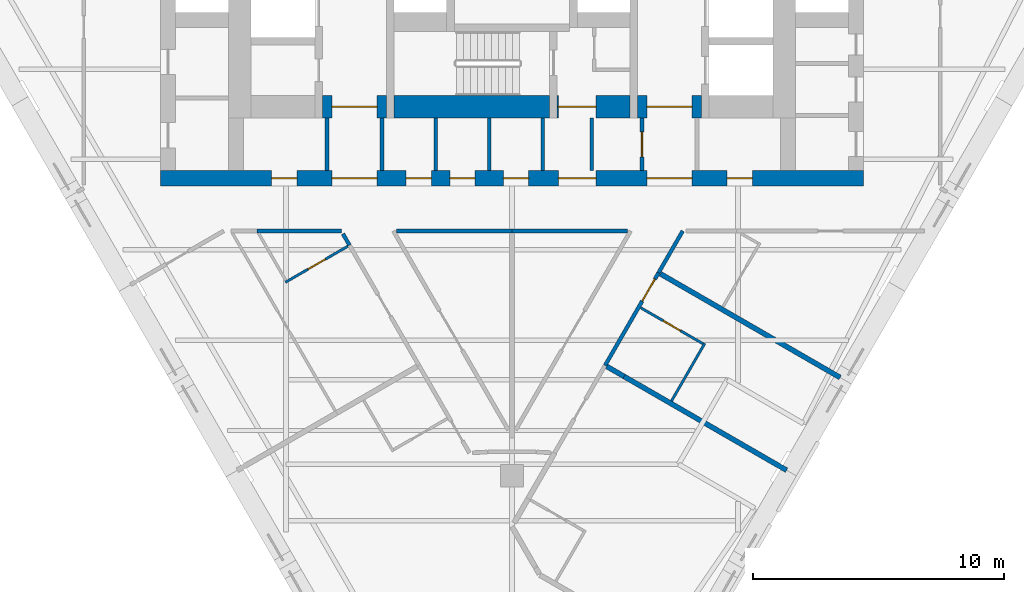
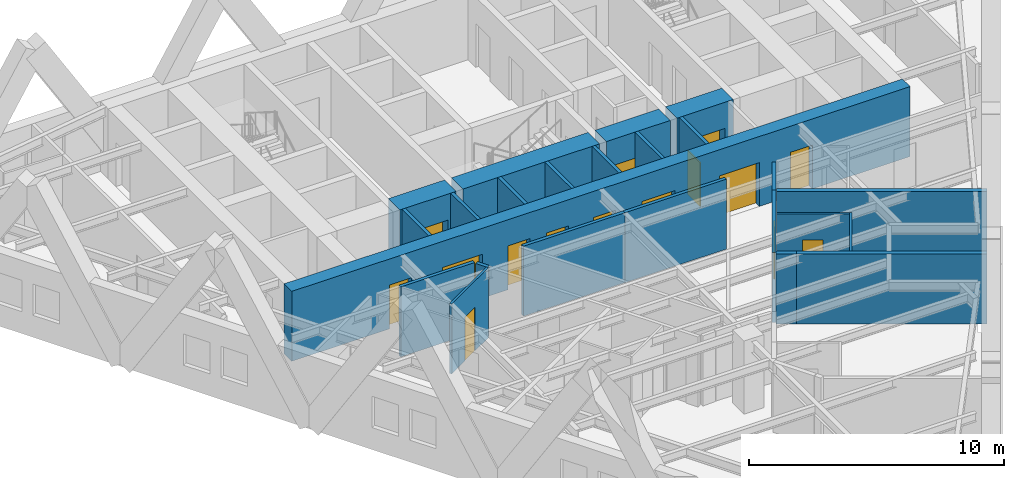
# One storey, part 4 of 9: 24 walls, 15 doors, 15 openings.
"""IFC4 building model written with IfcOpenShell, lengths in metres."""

from ifc_helpers import new_model, si_unit, direction, frame, frame_2d, origin, place, context, subcontext, project, spatial, rectangle, extrude, material, layer, layer_set, type_object, element, fill, save


model = new_model("IFC4")

# Units and contexts
model_context = context("Model", 3, precision=1e-05, world=origin(), true_north=direction((0.0, 1.0)))
body_context = subcontext(model_context, "Body", "Model", "MODEL_VIEW")
ifc_project = project(units=[si_unit("LENGTHUNIT", "METRE"), si_unit("AREAUNIT", "SQUARE_METRE"), si_unit("VOLUMEUNIT", "CUBIC_METRE"), si_unit("PLANEANGLEUNIT", "RADIAN"), si_unit("MASSUNIT", "GRAM", prefix="KILO")], contexts=[model_context])

# Site, building, storey
site_placement = place(None, origin())
site = spatial("IfcSite", under=ifc_project, at=site_placement, CompositionType="ELEMENT")
building_placement = place(site_placement, origin())
building = spatial("IfcBuilding", under=site, at=building_placement, Name="Aloe Facet Convention Tower", CompositionType="ELEMENT")
storey_placement = place(building_placement, frame((0.0, 0.0, 109.800048828125)))
storey = spatial("IfcBuildingStorey", under=building, at=storey_placement, Name="L27", CompositionType="ELEMENT", Elevation=109.800048828125)

# Walls
ifc_material_1 = material(Name="Concrete blockwork partition", Category="masonry")
ifc_layer_1 = layer(ifc_material_1, 0.14990234375)
ifc_layer_set_1 = layer_set([ifc_layer_1], Name="CR-W-PART150")
wall_type_1 = type_object("IfcWallType", Name="CR-W-PART150", PredefinedType="PARTITIONING", material=ifc_layer_set_1)
for number, where, z_axis, x_axis, name in (
    (1, (72.625, 122.25, 0.0), (0.0, 0.0, 1.0), (0.0, -1.0, 0.0), "Core partition L27-016"),
    (2, (74.824951171875, 122.25, 0.0), (0.0, 0.0, 1.0), (0.0, -1.0, 0.0), "Core partition L27-017"),
    (3, (76.958251953125, 122.25, 0.0), (0.0, 0.0, 1.0), (0.0, -1.0, 0.0), "Core partition L27-023"),
    (4, (79.091552734375, 122.25, 0.0), (0.0, 0.0, 1.0), (0.0, -1.0, 0.0), "Core partition L27-026"),
    (5, (81.22509765625, 122.25, 0.0), (0.0, 0.0, 1.0), (0.0, -1.0, 0.0), "Core partition L27-027"),
    (6, (83.175048828125, 122.25, 0.0), (0.0, 0.0, 1.0), (0.0, -1.0, 0.0), "Core partition L27-034"),
):
    element("IfcWall", number, at=place(storey_placement, frame(where, z_axis=z_axis, x_axis=x_axis)), inside=storey, type_object=wall_type_1, Name=name, PredefinedType="PARTITIONING", context=body_context, shape_type="SweptSolid", body=[
        extrude(rectangle(XDim=2.10009765625, YDim=0.14990234375, at=frame_2d((1.050048828125, 0.0))), origin(), (0.0, 0.0, 1.0), 3.349853515625),
    ])

# Wall, opening, door
wall_1_placement = place(storey_placement, frame((85.175048828125, 122.25, 0.0), z_axis=(0.0, 0.0, 1.0), x_axis=(0.0, -1.0, 0.0)))
wall_1 = element("IfcWall", 7, at=wall_1_placement, inside=storey, type_object=wall_type_1, Name="Core partition L27-040", PredefinedType="PARTITIONING", context=body_context, shape_type="SweptSolid", body=[
    extrude(rectangle(XDim=2.10009765625, YDim=0.14990234375, at=frame_2d((1.050048828125, 0.0))), origin(), (0.0, 0.0, 1.0), 3.349853515625),
])
opening_1_placement = place(wall_1_placement, frame((0.550048828125, 0.0, 0.0)))
opening_1 = element("IfcOpeningElement", 8, at=opening_1_placement, cuts=wall_1, Name="Opening L27-CD28", PredefinedType="OPENING", context=body_context, shape_type="SweptSolid", body=[
    extrude(rectangle(XDim=1.0, YDim=2.10009765625, at=frame_2d((0.5, 1.050048828125))), frame((0.0, 0.0849609375, 0.0), z_axis=(0.0, -1.0, 0.0), x_axis=(1.0, 0.0, 0.0)), (0.0, 0.0, 1.0), 0.169921875),
])
ifc_material_2 = material(Name="Steel fire-resisting door set FD60", Category="steel")
door_type_1 = type_object("IfcDoorType", Name="CR-D-ROOM-1000-FD60-SRIGHT", OperationType="SINGLE_SWING_RIGHT", PredefinedType="DOOR", material=ifc_material_2)
door_1_placement = place(opening_1_placement, origin())
door_1 = element("IfcDoor", 9, at=door_1_placement, inside=storey, type_object=door_type_1, Name="Core door L27-CD28", OperationType="SINGLE_SWING_RIGHT", OverallHeight=2.10009765625, OverallWidth=1.0, PredefinedType="DOOR", context=body_context, shape_type="SweptSolid", body=[
    extrude(rectangle(XDim=1.0, YDim=2.10009765625, at=frame_2d((0.5, 1.050048828125))), frame((0.0, 0.02490234375, 0.0), z_axis=(0.0, -1.0, 0.0), x_axis=(1.0, 0.0, 0.0)), (0.0, 0.0, 1.0), 0.050048828125),
])
fill(opening_1, door_1)

# Wall, openings, doors
ifc_material_3 = material(Name="Concrete C70/85", Category="concrete")
ifc_layer_2 = layer(ifc_material_3, 0.60009765625)
ifc_layer_set_2 = layer_set([ifc_layer_2], Name="CR-W-RC600-C7085")
wall_type_2 = type_object("IfcWallType", Name="CR-W-RC600-C7085", PredefinedType="SOLIDWALL", material=ifc_layer_set_2)
wall_2_placement = place(storey_placement, frame((66.0, 119.85009765625, 0.0), z_axis=(0.0, 0.0, 1.0), x_axis=(1.0, 0.0, 0.0)))
wall_2 = element("IfcWall", 10, at=wall_2_placement, inside=storey, type_object=wall_type_2, Name="Core wall L27-003", PredefinedType="SOLIDWALL", context=body_context, shape_type="SweptSolid", body=[
    extrude(rectangle(XDim=28.0, YDim=0.60009765625, at=frame_2d((14.0, 0.0))), origin(), (0.0, 0.0, 1.0), 3.349853515625),
])
opening_2_placement = place(wall_2_placement, frame((6.824951171875, 0.0, 0.0)))
opening_2 = element("IfcOpeningElement", 11, at=opening_2_placement, cuts=wall_2, Name="Opening L27-CD17", PredefinedType="OPENING", context=body_context, shape_type="SweptSolid", body=[
    extrude(rectangle(XDim=1.800048828125, YDim=2.10009765625, at=frame_2d((0.89990234375, 1.050048828125))), frame((0.0, 0.31005859375, 0.0), z_axis=(0.0, -1.0, 0.0), x_axis=(1.0, 0.0, 0.0)), (0.0, 0.0, 1.0), 0.6201171875),
])
opening_3_placement = place(wall_2_placement, frame((15.85009765625, 0.0, 0.0)))
opening_3 = element("IfcOpeningElement", 12, at=opening_3_placement, cuts=wall_2, Name="Opening L27-CD18", PredefinedType="OPENING", context=body_context, shape_type="SweptSolid", body=[
    extrude(rectangle(XDim=1.5, YDim=2.10009765625, at=frame_2d((0.75, 1.050048828125))), frame((0.0, 0.31005859375, 0.0), z_axis=(0.0, -1.0, 0.0), x_axis=(1.0, 0.0, 0.0)), (0.0, 0.0, 1.0), 0.6201171875),
])
opening_4_placement = place(wall_2_placement, frame((19.375, 0.0, 0.0)))
opening_4 = element("IfcOpeningElement", 13, at=opening_4_placement, cuts=wall_2, Name="Opening L27-CD19", PredefinedType="OPENING", context=body_context, shape_type="SweptSolid", body=[
    extrude(rectangle(XDim=1.800048828125, YDim=2.10009765625, at=frame_2d((0.89990234375, 1.050048828125))), frame((0.0, 0.31005859375, 0.0), z_axis=(0.0, -1.0, 0.0), x_axis=(1.0, 0.0, 0.0)), (0.0, 0.0, 1.0), 0.6201171875),
])
opening_5_placement = place(wall_2_placement, frame((4.425048828125, 0.0, 0.0)))
opening_5 = element("IfcOpeningElement", 14, at=opening_5_placement, cuts=wall_2, Name="Opening L27-CD24", PredefinedType="OPENING", context=body_context, shape_type="SweptSolid", body=[
    extrude(rectangle(XDim=1.0, YDim=2.10009765625, at=frame_2d((0.5, 1.050048828125))), frame((0.0, 0.31005859375, 0.0), z_axis=(0.0, -1.0, 0.0), x_axis=(1.0, 0.0, 0.0)), (0.0, 0.0, 1.0), 0.6201171875),
])
opening_6_placement = place(wall_2_placement, frame((9.783203125, 0.0, 0.0)))
opening_6 = element("IfcOpeningElement", 15, at=opening_6_placement, cuts=wall_2, Name="Opening L27-CD25", PredefinedType="OPENING", context=body_context, shape_type="SweptSolid", body=[
    extrude(rectangle(XDim=1.0, YDim=2.10009765625, at=frame_2d((0.5, 1.050048828125))), frame((0.0, 0.31005859375, 0.0), z_axis=(0.0, -1.0, 0.0), x_axis=(1.0, 0.0, 0.0)), (0.0, 0.0, 1.0), 0.6201171875),
])
opening_7_placement = place(wall_2_placement, frame((11.52490234375, 0.0, 0.0)))
opening_7 = element("IfcOpeningElement", 16, at=opening_7_placement, cuts=wall_2, Name="Opening L27-CD26", PredefinedType="OPENING", context=body_context, shape_type="SweptSolid", body=[
    extrude(rectangle(XDim=1.0, YDim=2.10009765625, at=frame_2d((0.5, 1.050048828125))), frame((0.0, 0.31005859375, 0.0), z_axis=(0.0, -1.0, 0.0), x_axis=(1.0, 0.0, 0.0)), (0.0, 0.0, 1.0), 0.6201171875),
])
opening_8_placement = place(wall_2_placement, frame((13.658203125, 0.0, 0.0)))
opening_8 = element("IfcOpeningElement", 17, at=opening_8_placement, cuts=wall_2, Name="Opening L27-CD27", PredefinedType="OPENING", context=body_context, shape_type="SweptSolid", body=[
    extrude(rectangle(XDim=1.0, YDim=2.10009765625, at=frame_2d((0.5, 1.050048828125))), frame((0.0, 0.31005859375, 0.0), z_axis=(0.0, -1.0, 0.0), x_axis=(1.0, 0.0, 0.0)), (0.0, 0.0, 1.0), 0.6201171875),
])
opening_9_placement = place(wall_2_placement, frame((22.574951171875, 0.0, 0.0)))
opening_9 = element("IfcOpeningElement", 18, at=opening_9_placement, cuts=wall_2, Name="Opening L27-CD29", PredefinedType="OPENING", context=body_context, shape_type="SweptSolid", body=[
    extrude(rectangle(XDim=1.0, YDim=2.10009765625, at=frame_2d((0.5, 1.050048828125))), frame((0.0, 0.31005859375, 0.0), z_axis=(0.0, -1.0, 0.0), x_axis=(1.0, 0.0, 0.0)), (0.0, 0.0, 1.0), 0.6201171875),
])
ifc_material_4 = material(Name="Steel fire-resisting door set FD60", Category="steel")
door_type_2 = type_object("IfcDoorType", Name="CR-D-EXIT-1500-FD60-DD", OperationType="DOUBLE_DOOR_DOUBLE_SWING", PredefinedType="DOOR", material=ifc_material_4)
door_2_placement = place(opening_3_placement, origin())
door_2 = element("IfcDoor", 19, at=door_2_placement, inside=storey, type_object=door_type_2, Name="Core door L27-CD18", OperationType="DOUBLE_DOOR_DOUBLE_SWING", OverallHeight=2.10009765625, OverallWidth=1.5, PredefinedType="DOOR", context=body_context, shape_type="SweptSolid", body=[
    extrude(rectangle(XDim=1.5, YDim=2.10009765625, at=frame_2d((0.75, 1.050048828125))), frame((0.0, 0.02490234375, 0.0), z_axis=(0.0, -1.0, 0.0), x_axis=(1.0, 0.0, 0.0)), (0.0, 0.0, 1.0), 0.050048828125),
])
fill(opening_3, door_2)
ifc_material_5 = material(Name="Steel fire-resisting door set FD60", Category="steel")
door_type_3 = type_object("IfcDoorType", Name="CR-D-EXIT-1800-FD60-DD", OperationType="DOUBLE_DOOR_DOUBLE_SWING", PredefinedType="DOOR", material=ifc_material_5)
door_3_placement = place(opening_2_placement, origin())
door_3 = element("IfcDoor", 20, at=door_3_placement, inside=storey, type_object=door_type_3, Name="Core door L27-CD17", OperationType="DOUBLE_DOOR_DOUBLE_SWING", OverallHeight=2.10009765625, OverallWidth=1.800048828125, PredefinedType="DOOR", context=body_context, shape_type="SweptSolid", body=[
    extrude(rectangle(XDim=1.800048828125, YDim=2.10009765625, at=frame_2d((0.89990234375, 1.050048828125))), frame((0.0, 0.02490234375, 0.0), z_axis=(0.0, -1.0, 0.0), x_axis=(1.0, 0.0, 0.0)), (0.0, 0.0, 1.0), 0.050048828125),
])
fill(opening_2, door_3)
door_4_placement = place(opening_4_placement, origin())
door_4 = element("IfcDoor", 21, at=door_4_placement, inside=storey, type_object=door_type_3, Name="Core door L27-CD19", OperationType="DOUBLE_DOOR_DOUBLE_SWING", OverallHeight=2.10009765625, OverallWidth=1.800048828125, PredefinedType="DOOR", context=body_context, shape_type="SweptSolid", body=[
    extrude(rectangle(XDim=1.800048828125, YDim=2.10009765625, at=frame_2d((0.89990234375, 1.050048828125))), frame((0.0, 0.02490234375, 0.0), z_axis=(0.0, -1.0, 0.0), x_axis=(1.0, 0.0, 0.0)), (0.0, 0.0, 1.0), 0.050048828125),
])
fill(opening_4, door_4)
door_5_placement = place(opening_5_placement, origin())
door_5 = element("IfcDoor", 22, at=door_5_placement, inside=storey, type_object=door_type_1, Name="Core door L27-CD24", OperationType="SINGLE_SWING_RIGHT", OverallHeight=2.10009765625, OverallWidth=1.0, PredefinedType="DOOR", context=body_context, shape_type="SweptSolid", body=[
    extrude(rectangle(XDim=1.0, YDim=2.10009765625, at=frame_2d((0.5, 1.050048828125))), frame((0.0, 0.02490234375, 0.0), z_axis=(0.0, -1.0, 0.0), x_axis=(1.0, 0.0, 0.0)), (0.0, 0.0, 1.0), 0.050048828125),
])
fill(opening_5, door_5)
door_6_placement = place(opening_6_placement, origin())
door_6 = element("IfcDoor", 23, at=door_6_placement, inside=storey, type_object=door_type_1, Name="Core door L27-CD25", OperationType="SINGLE_SWING_RIGHT", OverallHeight=2.10009765625, OverallWidth=1.0, PredefinedType="DOOR", context=body_context, shape_type="SweptSolid", body=[
    extrude(rectangle(XDim=1.0, YDim=2.10009765625, at=frame_2d((0.5, 1.050048828125))), frame((0.0, 0.02490234375, 0.0), z_axis=(0.0, -1.0, 0.0), x_axis=(1.0, 0.0, 0.0)), (0.0, 0.0, 1.0), 0.050048828125),
])
fill(opening_6, door_6)
door_7_placement = place(opening_7_placement, origin())
door_7 = element("IfcDoor", 24, at=door_7_placement, inside=storey, type_object=door_type_1, Name="Core door L27-CD26", OperationType="SINGLE_SWING_RIGHT", OverallHeight=2.10009765625, OverallWidth=1.0, PredefinedType="DOOR", context=body_context, shape_type="SweptSolid", body=[
    extrude(rectangle(XDim=1.0, YDim=2.10009765625, at=frame_2d((0.5, 1.050048828125))), frame((0.0, 0.02490234375, 0.0), z_axis=(0.0, -1.0, 0.0), x_axis=(1.0, 0.0, 0.0)), (0.0, 0.0, 1.0), 0.050048828125),
])
fill(opening_7, door_7)
door_8_placement = place(opening_8_placement, origin())
door_8 = element("IfcDoor", 25, at=door_8_placement, inside=storey, type_object=door_type_1, Name="Core door L27-CD27", OperationType="SINGLE_SWING_RIGHT", OverallHeight=2.10009765625, OverallWidth=1.0, PredefinedType="DOOR", context=body_context, shape_type="SweptSolid", body=[
    extrude(rectangle(XDim=1.0, YDim=2.10009765625, at=frame_2d((0.5, 1.050048828125))), frame((0.0, 0.02490234375, 0.0), z_axis=(0.0, -1.0, 0.0), x_axis=(1.0, 0.0, 0.0)), (0.0, 0.0, 1.0), 0.050048828125),
])
fill(opening_8, door_8)
door_9_placement = place(opening_9_placement, origin())
door_9 = element("IfcDoor", 26, at=door_9_placement, inside=storey, type_object=door_type_1, Name="Core door L27-CD29", OperationType="SINGLE_SWING_RIGHT", OverallHeight=2.10009765625, OverallWidth=1.0, PredefinedType="DOOR", context=body_context, shape_type="SweptSolid", body=[
    extrude(rectangle(XDim=1.0, YDim=2.10009765625, at=frame_2d((0.5, 1.050048828125))), frame((0.0, 0.02490234375, 0.0), z_axis=(0.0, -1.0, 0.0), x_axis=(1.0, 0.0, 0.0)), (0.0, 0.0, 1.0), 0.050048828125),
])
fill(opening_9, door_9)

# Wall, opening, door
ifc_material_6 = material(Name="Concrete C70/85", Category="concrete")
ifc_layer_3 = layer(ifc_material_6, 0.89990234375)
ifc_layer_set_3 = layer_set([ifc_layer_3], Name="CR-W-RC900-C7085")
wall_type_3 = type_object("IfcWallType", Name="CR-W-RC900-C7085", PredefinedType="SOLIDWALL", material=ifc_layer_set_3)
wall_3_placement = place(storey_placement, frame((72.449951171875, 122.699951171875, 0.0), z_axis=(0.0, 0.0, 1.0), x_axis=(1.0, 0.0, 0.0)))
wall_3 = element("IfcWall", 27, at=wall_3_placement, inside=storey, type_object=wall_type_3, Name="Core wall L27-015", PredefinedType="SOLIDWALL", context=body_context, shape_type="SweptSolid", body=[
    extrude(rectangle(XDim=2.550048828125, YDim=0.89990234375, at=frame_2d((1.27490234375, 0.0))), origin(), (0.0, 0.0, 1.0), 3.349853515625),
])
opening_10_placement = place(wall_3_placement, frame((0.375, 0.0, 0.0)))
opening_10 = element("IfcOpeningElement", 28, at=opening_10_placement, cuts=wall_3, Name="Opening L27-CD15", PredefinedType="OPENING", context=body_context, shape_type="SweptSolid", body=[
    extrude(rectangle(XDim=1.800048828125, YDim=2.10009765625, at=frame_2d((0.89990234375, 1.050048828125))), frame((0.0, 0.4599609375, 0.0), z_axis=(0.0, -1.0, 0.0), x_axis=(1.0, 0.0, 0.0)), (0.0, 0.0, 1.0), 0.919921875),
])
ifc_material_7 = material(Name="Steel fire-resisting door set FD120", Category="steel")
door_type_4 = type_object("IfcDoorType", Name="CR-D-EXIT-1800-FD120-DD", OperationType="DOUBLE_DOOR_DOUBLE_SWING", PredefinedType="DOOR", material=ifc_material_7)
door_10_placement = place(opening_10_placement, origin())
door_10 = element("IfcDoor", 29, at=door_10_placement, inside=storey, type_object=door_type_4, Name="Core door L27-CD15", OperationType="DOUBLE_DOOR_DOUBLE_SWING", OverallHeight=2.10009765625, OverallWidth=1.800048828125, PredefinedType="DOOR", context=body_context, shape_type="SweptSolid", body=[
    extrude(rectangle(XDim=1.800048828125, YDim=2.10009765625, at=frame_2d((0.89990234375, 1.050048828125))), frame((0.0, 0.02490234375, 0.0), z_axis=(0.0, -1.0, 0.0), x_axis=(1.0, 0.0, 0.0)), (0.0, 0.0, 1.0), 0.050048828125),
])
fill(opening_10, door_10)

# Wall
wall_4_placement = place(storey_placement, frame((75.300048828125, 122.699951171875, 0.0), z_axis=(0.0, 0.0, 1.0), x_axis=(1.0, 0.0, 0.0)))
element("IfcWall", 30, at=wall_4_placement, inside=storey, type_object=wall_type_3, Name="Core wall L27-022", PredefinedType="SOLIDWALL", context=body_context, shape_type="SweptSolid", body=[
    extrude(rectangle(XDim=6.199951171875, YDim=0.89990234375, at=frame_2d((3.10009765625, 0.0))), origin(), (0.0, 0.0, 1.0), 3.349853515625),
])

# Wall, opening, door
wall_5_placement = place(storey_placement, frame((81.800048828125, 122.699951171875, 0.0), z_axis=(0.0, 0.0, 1.0), x_axis=(1.0, 0.0, 0.0)))
wall_5 = element("IfcWall", 31, at=wall_5_placement, inside=storey, type_object=wall_type_3, Name="Core wall L27-029", PredefinedType="SOLIDWALL", context=body_context, shape_type="SweptSolid", body=[
    extrude(rectangle(XDim=2.89990234375, YDim=0.89990234375, at=frame_2d((1.449951171875, 0.0))), origin(), (0.0, 0.0, 1.0), 3.349853515625),
])
opening_11_placement = place(wall_5_placement, frame((0.050048828125, 0.0, 0.0)))
opening_11 = element("IfcOpeningElement", 32, at=opening_11_placement, cuts=wall_5, Name="Opening L27-CD16", PredefinedType="OPENING", context=body_context, shape_type="SweptSolid", body=[
    extrude(rectangle(XDim=1.5, YDim=2.10009765625, at=frame_2d((0.75, 1.050048828125))), frame((0.0, 0.4599609375, 0.0), z_axis=(0.0, -1.0, 0.0), x_axis=(1.0, 0.0, 0.0)), (0.0, 0.0, 1.0), 0.919921875),
])
door_11_placement = place(opening_11_placement, origin())
door_11 = element("IfcDoor", 33, at=door_11_placement, inside=storey, type_object=door_type_2, Name="Core door L27-CD16", OperationType="DOUBLE_DOOR_DOUBLE_SWING", OverallHeight=2.10009765625, OverallWidth=1.5, PredefinedType="DOOR", context=body_context, shape_type="SweptSolid", body=[
    extrude(rectangle(XDim=1.5, YDim=2.10009765625, at=frame_2d((0.75, 1.050048828125))), frame((0.0, 0.02490234375, 0.0), z_axis=(0.0, -1.0, 0.0), x_axis=(1.0, 0.0, 0.0)), (0.0, 0.0, 1.0), 0.050048828125),
])
fill(opening_11, door_11)

wall_6_placement = place(storey_placement, frame((85.0, 122.699951171875, 0.0), z_axis=(0.0, 0.0, 1.0), x_axis=(1.0, 0.0, 0.0)))
wall_6 = element("IfcWall", 34, at=wall_6_placement, inside=storey, type_object=wall_type_3, Name="Core wall L27-039", PredefinedType="SOLIDWALL", context=body_context, shape_type="SweptSolid", body=[
    extrude(rectangle(XDim=2.550048828125, YDim=0.89990234375, at=frame_2d((1.27490234375, 0.0))), origin(), (0.0, 0.0, 1.0), 3.349853515625),
])
opening_12_placement = place(wall_6_placement, frame((0.375, 0.0, 0.0)))
opening_12 = element("IfcOpeningElement", 35, at=opening_12_placement, cuts=wall_6, Name="Opening L27-CD14", PredefinedType="OPENING", context=body_context, shape_type="SweptSolid", body=[
    extrude(rectangle(XDim=1.800048828125, YDim=2.10009765625, at=frame_2d((0.89990234375, 1.050048828125))), frame((0.0, 0.4599609375, 0.0), z_axis=(0.0, -1.0, 0.0), x_axis=(1.0, 0.0, 0.0)), (0.0, 0.0, 1.0), 0.919921875),
])
door_12_placement = place(opening_12_placement, origin())
door_12 = element("IfcDoor", 36, at=door_12_placement, inside=storey, type_object=door_type_4, Name="Core door L27-CD14", OperationType="DOUBLE_DOOR_DOUBLE_SWING", OverallHeight=2.10009765625, OverallWidth=1.800048828125, PredefinedType="DOOR", context=body_context, shape_type="SweptSolid", body=[
    extrude(rectangle(XDim=1.800048828125, YDim=2.10009765625, at=frame_2d((0.89990234375, 1.050048828125))), frame((0.0, 0.02490234375, 0.0), z_axis=(0.0, -1.0, 0.0), x_axis=(1.0, 0.0, 0.0)), (0.0, 0.0, 1.0), 0.050048828125),
])
fill(opening_12, door_12)

ifc_material_8 = material(Name="Gypsum board partition on steel studs", Category="steel")
ifc_layer_4 = layer(ifc_material_8, 0.14990234375)
ifc_layer_set_4 = layer_set([ifc_layer_4], Name="IN-W-CORR")
wall_type_4 = type_object("IfcWallType", Name="IN-W-CORR", PredefinedType="PARTITIONING", material=ifc_layer_set_4)
wall_7_placement = place(storey_placement, frame((83.70751953125, 112.392333984375, 0.0), z_axis=(0.0, 0.0, 1.0), x_axis=(0.500042931351, 0.866000615939, 0.0)))
wall_7 = element("IfcWall", 37, at=wall_7_placement, inside=storey, type_object=wall_type_4, Name="Partition L27-W037", PredefinedType="PARTITIONING", context=body_context, shape_type="SweptSolid", body=[
    extrude(rectangle(XDim=4.264404296875, YDim=0.14990234375, at=frame_2d((2.13232421875, 0.0))), origin(), (0.0, 0.0, 1.0), 3.349853515625),
])
opening_13_placement = place(wall_7_placement, frame((2.96435546875, 0.0, 0.0)))
opening_13 = element("IfcOpeningElement", 38, at=opening_13_placement, cuts=wall_7, Name="Opening L27-005", PredefinedType="OPENING", context=body_context, shape_type="SweptSolid", body=[
    extrude(rectangle(XDim=1.0, YDim=2.10009765625, at=frame_2d((0.5, 1.050048828125))), frame((0.0, 0.0849609375, 0.0), z_axis=(0.0, -1.0, 0.0), x_axis=(1.0, 0.0, 0.0)), (0.0, 0.0, 1.0), 0.169921875),
])
ifc_material_9 = material(Name="Hardwood flush door FD30S", Category="wood")
door_type_5 = type_object("IfcDoorType", Name="IN-D-WIDE", OperationType="SINGLE_SWING_LEFT", PredefinedType="DOOR", material=ifc_material_9)
door_13_placement = place(opening_13_placement, origin())
door_13 = element("IfcDoor", 39, at=door_13_placement, inside=storey, type_object=door_type_5, Name="Door L27-005", OperationType="SINGLE_SWING_LEFT", OverallHeight=2.10009765625, OverallWidth=1.0, PredefinedType="DOOR", context=body_context, shape_type="SweptSolid", body=[
    extrude(rectangle(XDim=1.0, YDim=2.10009765625, at=frame_2d((0.5, 1.050048828125))), frame((0.0, 0.02490234375, 0.0), z_axis=(0.0, -1.0, 0.0), x_axis=(1.0, 0.0, 0.0)), (0.0, 0.0, 1.0), 0.050048828125),
])
fill(opening_13, door_13)

# Walls
wall_8_placement = place(storey_placement, frame((85.83984375, 116.085205078125, 0.0), z_axis=(0.0, 0.0, 1.0), x_axis=(0.499909361484, 0.866077727632, 0.0)))
element("IfcWall", 40, at=wall_8_placement, inside=storey, type_object=wall_type_4, Name="Partition L27-W039", PredefinedType="PARTITIONING", context=body_context, shape_type="SweptSolid", body=[
    extrude(rectangle(XDim=1.922119140625, YDim=0.14990234375, at=frame_2d((0.9609375, 0.0))), origin(), (0.0, 0.0, 1.0), 3.349853515625),
])
wall_9_placement = place(storey_placement, frame((69.8505859375, 117.75, 0.0), z_axis=(0.0, 0.0, 1.0), x_axis=(1.0, 0.0, 0.0)))
element("IfcWall", 41, at=wall_9_placement, inside=storey, type_object=wall_type_4, Name="Partition L27-W046", PredefinedType="PARTITIONING", context=body_context, shape_type="SweptSolid", body=[
    extrude(rectangle(XDim=3.3486328125, YDim=0.14990234375, at=frame_2d((1.67431640625, 0.0))), origin(), (0.0, 0.0, 1.0), 3.349853515625),
])
wall_10_placement = place(storey_placement, frame((73.26416015625, 117.637451171875, 0.0), z_axis=(0.0, 0.0, 1.0), x_axis=(0.499869228027, -0.866100891855, 0.0)))
element("IfcWall", 42, at=wall_10_placement, inside=storey, type_object=wall_type_4, Name="Partition L27-W047", PredefinedType="PARTITIONING", context=body_context, shape_type="SweptSolid", body=[
    extrude(rectangle(XDim=0.528076171875, YDim=0.14990234375, at=frame_2d((0.26416015625, 0.0))), origin(), (0.0, 0.0, 1.0), 3.349853515625),
])
for number, where, z_axis, x_axis, name in (
    (43, (75.407470703125, 117.75, 0.0), (0.0, 0.0, 1.0), (1.0, 0.0, 0.0), "Partition L27-W049"),
    (44, (80.0, 117.75, 0.0), (0.0, 0.0, 1.0), (1.0, 0.0, 0.0), "Partition L27-W051"),
):
    element("IfcWall", number, at=place(storey_placement, frame(where, z_axis=z_axis, x_axis=x_axis)), inside=storey, type_object=wall_type_4, Name=name, PredefinedType="PARTITIONING", context=body_context, shape_type="SweptSolid", body=[
        extrude(rectangle(XDim=4.592529296875, YDim=0.14990234375, at=frame_2d((2.29638671875, 0.0))), origin(), (0.0, 0.0, 1.0), 3.349853515625),
    ])
ifc_material_10 = material(Name="Gypsum board partition on steel studs", Category="steel")
ifc_layer_5 = layer(ifc_material_10, 0.10009765625)
ifc_layer_set_5 = layer_set([ifc_layer_5], Name="IN-W-PART")
wall_type_5 = type_object("IfcWallType", Name="IN-W-PART", PredefinedType="PARTITIONING", material=ifc_layer_set_5)
wall_11_placement = place(storey_placement, frame((86.355712890625, 110.978759765625, 0.0), z_axis=(0.0, 0.0, 1.0), x_axis=(0.499953715521, 0.866052124492, 0.0)))
element("IfcWall", 45, at=wall_11_placement, inside=storey, type_object=wall_type_5, Name="Partition L27-W032", PredefinedType="PARTITIONING", context=body_context, shape_type="SweptSolid", body=[
    extrude(rectangle(XDim=2.650146484375, YDim=0.10009765625, at=frame_2d((1.3251953125, 0.0))), origin(), (0.0, 0.0, 1.0), 3.349853515625),
])

# Wall, opening, door
wall_12_placement = place(storey_placement, frame((85.131103515625, 114.68798828125, 0.0), z_axis=(0.0, 0.0, 1.0), x_axis=(0.866047940603, -0.499960963054, 0.0)))
wall_12 = element("IfcWall", 46, at=wall_12_placement, inside=storey, type_object=wall_type_5, Name="Partition L27-W035", PredefinedType="PARTITIONING", context=body_context, shape_type="SweptSolid", body=[
    extrude(rectangle(XDim=2.864990234375, YDim=0.10009765625, at=frame_2d((1.4326171875, 0.0))), origin(), (0.0, 0.0, 1.0), 3.349853515625),
])
opening_14_placement = place(wall_12_placement, frame((1.032470703125, 0.0, 0.0)))
opening_14 = element("IfcOpeningElement", 47, at=opening_14_placement, cuts=wall_12, Name="Opening L27-016", PredefinedType="OPENING", context=body_context, shape_type="SweptSolid", body=[
    extrude(rectangle(XDim=0.800048828125, YDim=2.10009765625, at=frame_2d((0.39990234375, 1.050048828125))), frame((0.0, 0.06005859375, 0.0), z_axis=(0.0, -1.0, 0.0), x_axis=(1.0, 0.0, 0.0)), (0.0, 0.0, 1.0), 0.1201171875),
])
ifc_material_11 = material(Name="Timber flush door", Category="wood")
door_type_6 = type_object("IfcDoorType", Name="IN-D-BATH", OperationType="SINGLE_SWING_LEFT", PredefinedType="DOOR", material=ifc_material_11)
door_14_placement = place(opening_14_placement, origin())
door_14 = element("IfcDoor", 48, at=door_14_placement, inside=storey, type_object=door_type_6, Name="Door L27-016", OperationType="SINGLE_SWING_LEFT", OverallHeight=2.10009765625, OverallWidth=0.800048828125, PredefinedType="DOOR", context=body_context, shape_type="SweptSolid", body=[
    extrude(rectangle(XDim=0.800048828125, YDim=2.10009765625, at=frame_2d((0.39990234375, 1.050048828125))), frame((0.0, 0.02490234375, 0.0), z_axis=(0.0, -1.0, 0.0), x_axis=(1.0, 0.0, 0.0)), (0.0, 0.0, 1.0), 0.050048828125),
])
fill(opening_14, door_14)

wall_13_placement = place(storey_placement, frame((70.973388671875, 115.705078125, 0.0), z_axis=(0.0, 0.0, 1.0), x_axis=(0.866018712932, 0.500011588718, 0.0)))
wall_13 = element("IfcWall", 49, at=wall_13_placement, inside=storey, type_object=wall_type_5, Name="Partition L27-W036", PredefinedType="PARTITIONING", context=body_context, shape_type="SweptSolid", body=[
    extrude(rectangle(XDim=2.875, YDim=0.10009765625, at=frame_2d((1.4375, 0.0))), origin(), (0.0, 0.0, 1.0), 3.349853515625),
])
opening_15_placement = place(wall_13_placement, frame((1.03759765625, 0.0, 0.0)))
opening_15 = element("IfcOpeningElement", 50, at=opening_15_placement, cuts=wall_13, Name="Opening L27-012", PredefinedType="OPENING", context=body_context, shape_type="SweptSolid", body=[
    extrude(rectangle(XDim=0.800048828125, YDim=2.10009765625, at=frame_2d((0.39990234375, 1.050048828125))), frame((0.0, 0.06005859375, 0.0), z_axis=(0.0, -1.0, 0.0), x_axis=(1.0, 0.0, 0.0)), (0.0, 0.0, 1.0), 0.1201171875),
])
door_15_placement = place(opening_15_placement, origin())
door_15 = element("IfcDoor", 51, at=door_15_placement, inside=storey, type_object=door_type_6, Name="Door L27-012", OperationType="SINGLE_SWING_LEFT", OverallHeight=2.10009765625, OverallWidth=0.800048828125, PredefinedType="DOOR", context=body_context, shape_type="SweptSolid", body=[
    extrude(rectangle(XDim=0.800048828125, YDim=2.10009765625, at=frame_2d((0.39990234375, 1.050048828125))), frame((0.0, 0.02490234375, 0.0), z_axis=(0.0, -1.0, 0.0), x_axis=(1.0, 0.0, 0.0)), (0.0, 0.0, 1.0), 0.050048828125),
])
fill(opening_15, door_15)

# Walls
ifc_material_12 = material(Name="Gypsum board partition on steel studs", Category="steel")
ifc_layer_6 = layer(ifc_material_12, 0.199951171875)
ifc_layer_set_6 = layer_set([ifc_layer_6], Name="IN-W-PARTY")
wall_type_6 = type_object("IfcWallType", Name="IN-W-PARTY", PredefinedType="PARTITIONING", material=ifc_layer_set_6)
wall_14_placement = place(storey_placement, frame((84.46533203125, 111.954833984375, 0.0), z_axis=(0.0, 0.0, 1.0), x_axis=(0.866025682925, -0.499999516514, 0.0)))
element("IfcWall", 52, at=wall_14_placement, inside=storey, type_object=wall_type_6, Name="Partition L27-W010", PredefinedType="PARTITIONING", context=body_context, shape_type="SweptSolid", body=[
    extrude(rectangle(XDim=7.47509765625, YDim=0.199951171875, at=frame_2d((3.737548828125, 0.0))), origin(), (0.0, 0.0, 1.0), 3.349853515625),
])
wall_15_placement = place(storey_placement, frame((83.7724609375, 112.354736328125, 0.0), z_axis=(0.0, 0.0, 1.0), x_axis=(0.866094119867, -0.499880961361, 0.0)))
element("IfcWall", 53, at=wall_15_placement, inside=storey, type_object=wall_type_6, Name="Partition L27-W021", PredefinedType="PARTITIONING", context=body_context, shape_type="SweptSolid", body=[
    extrude(rectangle(XDim=0.800048828125, YDim=0.199951171875, at=frame_2d((0.39990234375, 0.0))), origin(), (0.0, 0.0, 1.0), 3.349853515625),
])
wall_16_placement = place(storey_placement, frame((85.913330078125, 116.042724609375, 0.0), z_axis=(0.0, 0.0, 1.0), x_axis=(0.866022272496, -0.500005423512, 0.0)))
element("IfcWall", 54, at=wall_16_placement, inside=storey, type_object=wall_type_6, Name="Partition L27-W024", PredefinedType="PARTITIONING", context=body_context, shape_type="SweptSolid", body=[
    extrude(rectangle(XDim=8.26513671875, YDim=0.199951171875, at=frame_2d((4.132568359375, 0.0))), origin(), (0.0, 0.0, 1.0), 3.349853515625),
])

save(model, "model.ifc")
